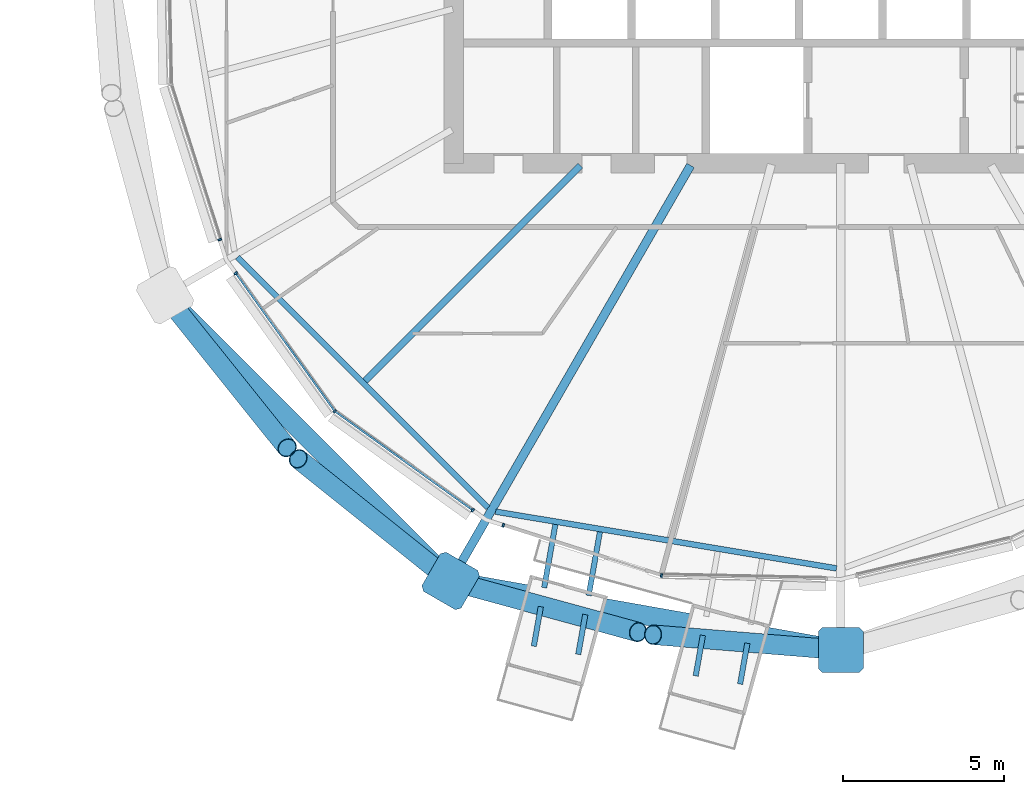
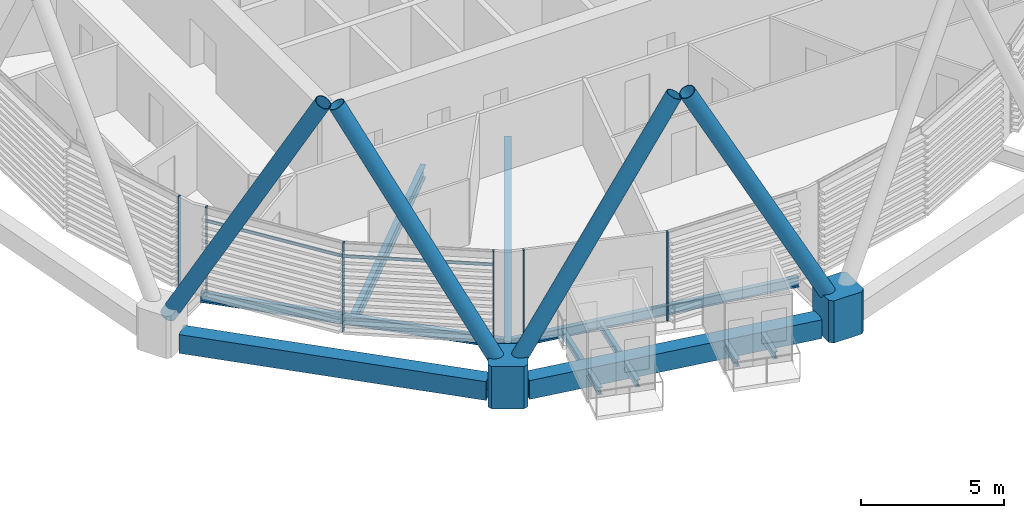
# One storey, part 13 of 37: 14 members, 12 beams, 1 element without a shape of its own.
"""IFC4 building model written with IfcOpenShell, lengths in metres."""

import ifcopenshell
import ifcopenshell.guid

model = None  # the IFC model being written
_history = None  # IfcOwnerHistory: only IFC2X3 demands one
_inside = {}  # id of a spatial element -> (the spatial element, [elements in it])
_under = {}  # id of a project, library or spatial element -> (it, [spatial elements below it])
_declared = {}  # id of a project -> (the project, [libraries it declares])
_typed = {}  # id of a type object -> (the type object, [elements of that type])
_made_of = {}  # id of a material, layer set ... -> (it, [elements and type objects made of it])


def new_model(schema):
    """Start an empty IFC model of exactly this schema.

    Asked for "IFC4X3", IfcOpenShell would pick the latest addendum, in which some entities
    have other attributes; the version numbers below select the first issue.
    IFC2X3 requires an IfcOwnerHistory on every rooted entity: one is made here for all.
    """
    global model, _history
    if schema == "IFC4X3":
        model = ifcopenshell.file(schema_version=(4, 3, 0, 0))
    else:
        model = ifcopenshell.file(schema=schema)
    _inside.clear()
    _under.clear()
    _declared.clear()
    _typed.clear()
    _made_of.clear()
    _history = None
    if model.schema == "IFC2X3":
        org = make("IfcOrganization", Name="unknown")
        user = make(
            "IfcPersonAndOrganization",
            ThePerson=make("IfcPerson", FamilyName="unknown"),
            TheOrganization=org,
        )
        app = make(
            "IfcApplication",
            ApplicationDeveloper=org,
            Version="unknown",
            ApplicationFullName="unknown",
            ApplicationIdentifier="unknown",
        )
        _history = make(
            "IfcOwnerHistory",
            OwningUser=user,
            OwningApplication=app,
            ChangeAction="ADDED",
            CreationDate=0,
        )
    return model


def make(cls, **values):
    """One entity of the class cls with the attributes given. An attribute that is None is left unset."""
    return model.create_entity(
        cls, **{name: value for name, value in values.items() if value is not None}
    )


def rooted(cls, **values):
    """An entity with a GlobalId (a new one), such as an element, a storey or a relation."""
    return make(cls, GlobalId=ifcopenshell.guid.new(), OwnerHistory=_history, **values)


def si_unit(unit_type, name, prefix=None):
    """IfcSIUnit, for example si_unit("LENGTHUNIT", "METRE", prefix="MILLI")."""
    return make("IfcSIUnit", UnitType=unit_type, Prefix=prefix, Name=name)


def assignment(units):
    """IfcUnitAssignment: the units of a project."""
    return None if units is None else make("IfcUnitAssignment", Units=units)


def point(xyz):
    """IfcCartesianPoint."""
    return None if xyz is None else make("IfcCartesianPoint", Coordinates=xyz)


def direction(xyz):
    """IfcDirection."""
    return None if xyz is None else make("IfcDirection", DirectionRatios=xyz)


def frame(location, z_axis=None, x_axis=None):
    """IfcAxis2Placement3D, a coordinate frame: its origin and axes. An axis left out is left unset."""
    return make(
        "IfcAxis2Placement3D",
        Location=point(location),
        Axis=direction(z_axis),
        RefDirection=direction(x_axis),
    )


def frame_2d(location, x_axis=None):
    """IfcAxis2Placement2D, a coordinate frame in the plane: its origin and x axis."""
    return make(
        "IfcAxis2Placement2D", Location=point(location), RefDirection=direction(x_axis)
    )


def origin():
    """The frame at (0, 0, 0) with its axes left unset."""
    return frame((0.0, 0.0, 0.0))


def origin_2d():
    """The frame at (0, 0) in the plane with its x axis left unset."""
    return frame_2d((0.0, 0.0))


def place(relative_to, where):
    """IfcLocalPlacement: puts the frame where relative to a parent placement (None: the world)."""
    return make(
        "IfcLocalPlacement", PlacementRelTo=relative_to, RelativePlacement=where
    )


def context(
    kind, dimensions, precision=None, world=None, true_north=None, identifier=None
):
    """IfcGeometricRepresentationContext, for example the 3D "Model" context."""
    return make(
        "IfcGeometricRepresentationContext",
        ContextIdentifier=identifier,
        ContextType=kind,
        CoordinateSpaceDimension=dimensions,
        Precision=precision,
        WorldCoordinateSystem=world,
        TrueNorth=true_north,
    )


def subcontext(parent, identifier, kind, view, scale=None):
    """IfcGeometricRepresentationSubContext, for example "Body" below "Model"."""
    return make(
        "IfcGeometricRepresentationSubContext",
        ContextIdentifier=identifier,
        ContextType=kind,
        ParentContext=parent,
        TargetScale=scale,
        TargetView=view,
    )


def project(units=None, contexts=None):
    """IfcProject with its units and contexts."""
    return rooted(
        "IfcProject",
        Name="project",
        RepresentationContexts=contexts,
        UnitsInContext=assignment(units),
    )


def spatial(cls, under=None, at=None, **own):
    """A site, building, storey or space (cls), placed at a placement, below another one or the project."""
    s = rooted(cls, ObjectPlacement=at, **own)
    if under is not None:
        _under.setdefault(under.id(), (under, []))[1].append(s)
    return s


def polyline(points):
    """IfcPolyline through the points."""
    return make("IfcPolyline", Points=[point(p) for p in points])


def profile(cls, at=None, kind="AREA", **sizes):
    """A parametric profile (cls). Its sizes go by their IFC names, for example OverallWidth=200.0."""
    return make(cls, ProfileType=kind, Position=at, **sizes)


def rectangle(**sizes):
    """IfcRectangleProfileDef."""
    return profile("IfcRectangleProfileDef", **sizes)


def hollow_rectangle(**sizes):
    """IfcRectangleHollowProfileDef."""
    return profile("IfcRectangleHollowProfileDef", **sizes)


def hollow_circle(**sizes):
    """IfcCircleHollowProfileDef."""
    return profile("IfcCircleHollowProfileDef", **sizes)


def i_section(**sizes):
    """IfcIShapeProfileDef."""
    return profile("IfcIShapeProfileDef", **sizes)


def outline(outer, holes=None, kind="AREA"):
    """IfcArbitraryClosedProfileDef: a profile drawn as a closed curve; with holes, ...WithVoids."""
    if holes is None:
        return make("IfcArbitraryClosedProfileDef", ProfileType=kind, OuterCurve=outer)
    return make(
        "IfcArbitraryProfileDefWithVoids",
        ProfileType=kind,
        OuterCurve=outer,
        InnerCurves=holes,
    )


def extrude(swept, where, along, depth):
    """IfcExtrudedAreaSolid: the profile swept, set in the frame where, extruded along a direction by depth."""
    return make(
        "IfcExtrudedAreaSolid",
        SweptArea=swept,
        Position=where,
        ExtrudedDirection=direction(along),
        Depth=depth,
    )


def shape(context_of_items, identifier, shape_type, items):
    """IfcShapeRepresentation: the items that make up one representation, for example the "Body"."""
    return make(
        "IfcShapeRepresentation",
        ContextOfItems=context_of_items,
        RepresentationIdentifier=identifier,
        RepresentationType=shape_type,
        Items=items,
    )


def material(Name=None, Category=None):
    """IfcMaterial."""
    return make("IfcMaterial", Name=Name, Category=Category)


def material_profile(
    of_material, cross_section, Name=None, Category=None, Priority=None
):
    """IfcMaterialProfile: a cross section and its material."""
    return make(
        "IfcMaterialProfile",
        Name=Name,
        Material=of_material,
        Profile=cross_section,
        Priority=Priority,
        Category=Category,
    )


def profile_set(profiles, Name=None, composite=None):
    """IfcMaterialProfileSet."""
    return make(
        "IfcMaterialProfileSet",
        Name=Name,
        MaterialProfiles=profiles,
        CompositeProfile=composite,
    )


def made_of(thing, what):
    """Note that an element or type object is made of a material, layer set ...; save() writes the relation."""
    if what is not None:
        _made_of.setdefault(what.id(), (what, []))[1].append(thing)
    return thing


def type_object(cls, material=None, **own):
    """A type object (cls), such as IfcWallType, which elements share."""
    return made_of(rooted(cls, **own), material)


def element(
    cls,
    number,
    at=None,
    inside=None,
    cuts=None,
    type_object=None,
    material=None,
    context=None,
    identifier="Body",
    shape_type=None,
    held_by="IfcProductDefinitionShape",
    body=None,
    shapes=None,
    **own,
):
    """One element of the class cls, such as IfcWall. Its Tag is "e" and its number.

    at: its placement. inside: the storey or other place that contains it. cuts: it is an
    opening in that element (IfcRelVoidsElement). A single representation is given by context,
    identifier, shape_type and body (its items); several are given by shapes. held_by: the class
    of the entity that holds the representations. save() writes the other relations.
    """
    e = rooted(cls, Tag="e%d" % number, ObjectPlacement=at, **own)
    if body is not None:
        shapes = [shape(context, identifier, shape_type, body)]
    if shapes is not None:
        e.Representation = make(held_by, Representations=shapes)
    if inside is not None:
        _inside.setdefault(inside.id(), (inside, []))[1].append(e)
    if cuts is not None:
        rooted(
            "IfcRelVoidsElement", RelatingBuildingElement=cuts, RelatedOpeningElement=e
        )
    if type_object is not None:
        _typed.setdefault(type_object.id(), (type_object, []))[1].append(e)
    return made_of(e, material)


def aggregate(whole, parts):
    """IfcRelAggregates: a whole, such as a stair, and the parts it consists of."""
    return rooted("IfcRelAggregates", RelatingObject=whole, RelatedObjects=parts)


def save(model, path):
    """Write the relations noted so far, then the file.

    IfcRelAggregates (storeys below a building ...), IfcRelContainedInSpatialStructure (elements
    in a storey), IfcRelDefinesByType, IfcRelAssociatesMaterial and IfcRelDeclares: one each for
    every whole, place, type object, material and project.
    """
    for whole, parts in _under.values():
        aggregate(whole, parts)
    for where, things in _inside.values():
        rooted(
            "IfcRelContainedInSpatialStructure",
            RelatedElements=things,
            RelatingStructure=where,
        )
    for kind, things in _typed.values():
        rooted("IfcRelDefinesByType", RelatedObjects=things, RelatingType=kind)
    for what, things in _made_of.values():
        rooted("IfcRelAssociatesMaterial", RelatedObjects=things, RelatingMaterial=what)
    for by, libraries in _declared.values():
        rooted("IfcRelDeclares", RelatingContext=by, RelatedDefinitions=libraries)
    model.write(path)


model = new_model("IFC4")

# Units and contexts
model_context = context("Model", 3, precision=1e-05, world=origin(), true_north=direction((0.0, 1.0)))
body_context = subcontext(model_context, "Body", "Model", "MODEL_VIEW")
ifc_project = project(units=[si_unit("LENGTHUNIT", "METRE"), si_unit("AREAUNIT", "SQUARE_METRE"), si_unit("VOLUMEUNIT", "CUBIC_METRE"), si_unit("PLANEANGLEUNIT", "RADIAN"), si_unit("MASSUNIT", "GRAM", prefix="KILO")], contexts=[model_context])

# Site, building, storey
site_placement = place(None, origin())
site = spatial("IfcSite", under=ifc_project, at=site_placement, CompositionType="ELEMENT")
building_placement = place(site_placement, origin())
building = spatial("IfcBuilding", under=site, at=building_placement, Name="Rimbun Link Towers", CompositionType="ELEMENT")
storey_placement = place(building_placement, frame((0.0, 0.0, 170.300048828125)))
storey = spatial("IfcBuildingStorey", under=building, at=storey_placement, Name="L41", CompositionType="ELEMENT", Elevation=170.300048828125)

# Curtain wall, members
ifc_material_1 = material(Name="Aluminium 6063-T6 and low-iron glass", Category="aluminium")
curtain_wall_type = type_object("IfcCurtainWallType", Name="CW1-Z3 unitised vision wall (zone 3)", PredefinedType="NOTDEFINED", material=ifc_material_1)
curtain_wall_placement = place(storey_placement, origin())
curtain_wall = element("IfcCurtainWall", 1, at=curtain_wall_placement, inside=storey, type_object=curtain_wall_type, Name="CW1 L41 T2", PredefinedType="NOTDEFINED")
ifc_material_2 = material(Name="Aluminium 6063-T6", Category="aluminium")
ifc_material_profile_1 = material_profile(ifc_material_2, rectangle(XDim=0.1201171875, YDim=0.06005859375, at=origin_2d()), Name="MULLION 60X120")
ifc_profile_set_1 = profile_set([ifc_material_profile_1], Name="Aluminium 6063-T6")
member_type_1 = type_object("IfcMemberType", Name="CW1 mullion 60X120", PredefinedType="MULLION", material=ifc_profile_set_1)
member_1_placement = place(storey_placement, frame((12.501708984375, -10.364990234375, 0.0), z_axis=(0.0, 0.0, 1.0), x_axis=(-0.952968988731, -0.303067824946, 0.0)))
member_1 = element("IfcMember", 2, at=member_1_placement, type_object=member_type_1, Name="CW1 mullion", PredefinedType="MULLION", context=body_context, shape_type="SweptSolid", body=[
    extrude(rectangle(XDim=0.1201171875, YDim=0.06005859375, at=origin_2d()), origin(), (0.0, 0.0, 1.0), 3.800048828125),
])
member_2_placement = place(storey_placement, frame((16.0673828125, -15.6826171875, 0.0), z_axis=(0.0, 0.0, 1.0), x_axis=(-0.707106781187, -0.707106781187, 0.0)))
member_2 = element("IfcMember", 3, at=member_2_placement, type_object=member_type_1, Name="CW1 mullion", PredefinedType="MULLION", context=body_context, shape_type="SweptSolid", body=[
    extrude(rectangle(XDim=0.1201171875, YDim=0.06005859375, at=origin_2d()), origin(), (0.0, 0.0, 1.0), 3.800048828125),
])
member_3_placement = place(storey_placement, frame((12.998779296875, -11.407470703125, 0.0), z_axis=(0.0, 0.0, 1.0), x_axis=(-0.812465398272, -0.583009413827, 0.0)))
member_3 = element("IfcMember", 4, at=member_3_placement, type_object=member_type_1, Name="CW1 mullion", PredefinedType="MULLION", context=body_context, shape_type="SweptSolid", body=[
    extrude(rectangle(XDim=0.1201171875, YDim=0.06005859375, at=origin_2d()), origin(), (0.0, 0.0, 1.0), 3.800048828125),
])
member_4_placement = place(storey_placement, frame((20.342529296875, -18.751220703125, 0.0), z_axis=(0.0, 0.0, 1.0), x_axis=(-0.583009413827, -0.812465398272, 0.0)))
member_4 = element("IfcMember", 5, at=member_4_placement, type_object=member_type_1, Name="CW1 mullion", PredefinedType="MULLION", context=body_context, shape_type="SweptSolid", body=[
    extrude(rectangle(XDim=0.1201171875, YDim=0.06005859375, at=origin_2d()), origin(), (0.0, 0.0, 1.0), 3.800048828125),
])
member_5_placement = place(storey_placement, frame((26.189208984375, -20.775390625, 0.0), z_axis=(0.0, 0.0, 1.0), x_axis=(-0.163742714165, -0.986503078332, 0.0)))
member_5 = element("IfcMember", 6, at=member_5_placement, type_object=member_type_1, Name="CW1 mullion", PredefinedType="MULLION", context=body_context, shape_type="SweptSolid", body=[
    extrude(rectangle(XDim=0.1201171875, YDim=0.06005859375, at=origin_2d()), origin(), (0.0, 0.0, 1.0), 3.800048828125),
])
member_6_placement = place(storey_placement, frame((21.289794921875, -19.2177734375, 0.0), z_axis=(0.0, 0.0, 1.0), x_axis=(-0.303067824946, -0.952968988731, 0.0)))
member_6 = element("IfcMember", 7, at=member_6_placement, type_object=member_type_1, Name="CW1 mullion", PredefinedType="MULLION", context=body_context, shape_type="SweptSolid", body=[
    extrude(rectangle(XDim=0.1201171875, YDim=0.06005859375, at=origin_2d()), origin(), (0.0, 0.0, 1.0), 3.800048828125),
])
ifc_material_3 = material(Name="Aluminium 6063-T6", Category="aluminium")
ifc_material_profile_2 = material_profile(ifc_material_3, rectangle(XDim=0.06005859375, YDim=0.1201171875, at=origin_2d()), Name="TRANSOM 60X120")
ifc_profile_set_2 = profile_set([ifc_material_profile_2], Name="Aluminium 6063-T6")
member_type_2 = type_object("IfcMemberType", Name="CW1 transom 60X120", PredefinedType="USERDEFINED", material=ifc_profile_set_2)
member_7_placement = place(storey_placement, frame((16.045166015625, -15.649658203125, 3.199951171875), z_axis=(-0.582993571179, 0.812476766415, 0.0), x_axis=(-0.812476766415, -0.582993571179, 0.0)))
member_7 = element("IfcMember", 8, at=member_7_placement, type_object=member_type_2, Name="CW1 transom", ObjectType="TRANSOM", PredefinedType="USERDEFINED", context=body_context, shape_type="SweptSolid", body=[
    extrude(rectangle(XDim=0.06005859375, YDim=0.1201171875, at=origin_2d()), origin(), (0.0, 0.0, 1.0), 5.19287109375),
])
member_8_placement = place(storey_placement, frame((20.3193359375, -18.732177734375, 3.199951171875), z_axis=(-0.812476766415, 0.582993571179, 0.0), x_axis=(-0.582993571179, -0.812476766415, 0.0)))
member_8 = element("IfcMember", 9, at=member_8_placement, type_object=member_type_2, Name="CW1 transom", ObjectType="TRANSOM", PredefinedType="USERDEFINED", context=body_context, shape_type="SweptSolid", body=[
    extrude(rectangle(XDim=0.06005859375, YDim=0.1201171875, at=origin_2d()), origin(), (0.0, 0.0, 1.0), 5.19287109375),
])
aggregate(curtain_wall, [member_1, member_2, member_3, member_4, member_5, member_6, member_7, member_8])

# Beams
ifc_material_4 = material(Name="Steel S355J2", Category="steel")
ifc_material_profile_3 = material_profile(ifc_material_4, i_section(OverallWidth=0.1650390625, OverallDepth=0.303466796875, WebThickness=0.006103515625, FlangeThickness=0.01025390625, at=origin_2d()), Name="UB 305x165x40")
ifc_profile_set_3 = profile_set([ifc_material_profile_3], Name="Steel S355J2")
beam_type_1 = type_object("IfcBeamType", Name="Capsule bracket beam UB 305x165x40", PredefinedType="BEAM", material=ifc_profile_set_3)
beam_1_placement = place(storey_placement, frame((28.852294921875, -22.874755859375, -0.311767578125), z_axis=(-0.174349315547, -0.984683866105, 0.0), x_axis=(0.984683866105, -0.174349315547, 0.0)))
element("IfcBeam", 10, at=beam_1_placement, inside=storey, type_object=beam_type_1, Name="Capsule D412.01 bracket beam 2", PredefinedType="BEAM", context=body_context, shape_type="SweptSolid", body=[
    extrude(i_section(OverallWidth=0.1650390625, OverallDepth=0.303466796875, WebThickness=0.006103515625, FlangeThickness=0.01025390625, at=origin_2d()), origin(), (0.0, 0.0, 1.0), 1.2841796875),
])
beam_2_placement = place(storey_placement, frame((27.473876953125, -22.630859375, -0.311767578125), z_axis=(-0.174451669968, -0.984665737621, 0.0), x_axis=(0.984665737621, -0.174451669968, 0.0)))
element("IfcBeam", 11, at=beam_2_placement, inside=storey, type_object=beam_type_1, Name="Capsule D412.01 bracket beam 4", PredefinedType="BEAM", context=body_context, shape_type="SweptSolid", body=[
    extrude(i_section(OverallWidth=0.1650390625, OverallDepth=0.303466796875, WebThickness=0.006103515625, FlangeThickness=0.01025390625, at=origin_2d()), origin(), (0.0, 0.0, 1.0), 1.27490234375),
])
beam_3_placement = place(storey_placement, frame((24.283935546875, -19.423828125, -0.311767578125), z_axis=(-0.174279286569, -0.984696262953, 0.0), x_axis=(0.984696262953, -0.174279286569, 0.0)))
element("IfcBeam", 12, at=beam_3_placement, inside=storey, type_object=beam_type_1, Name="Capsule D412.02 bracket beam 1", PredefinedType="BEAM", context=body_context, shape_type="SweptSolid", body=[
    extrude(i_section(OverallWidth=0.1650390625, OverallDepth=0.303466796875, WebThickness=0.006103515625, FlangeThickness=0.01025390625, at=origin_2d()), origin(), (0.0, 0.0, 1.0), 2.001708984375),
])
beam_4_placement = place(storey_placement, frame((23.830322265625, -21.98583984375, -0.311767578125), z_axis=(-0.174264006678, -0.984698967186, 0.0), x_axis=(0.984698967186, -0.174264006678, 0.0)))
element("IfcBeam", 13, at=beam_4_placement, inside=storey, type_object=beam_type_1, Name="Capsule D412.02 bracket beam 2", PredefinedType="BEAM", context=body_context, shape_type="SweptSolid", body=[
    extrude(i_section(OverallWidth=0.1650390625, OverallDepth=0.303466796875, WebThickness=0.006103515625, FlangeThickness=0.01025390625, at=origin_2d()), origin(), (0.0, 0.0, 1.0), 1.2509765625),
])
beam_5_placement = place(storey_placement, frame((22.90283203125, -19.19384765625, -0.311767578125), z_axis=(-0.174310885776, -0.984690669754, 0.0), x_axis=(0.984690669754, -0.174310885776, 0.0)))
element("IfcBeam", 14, at=beam_5_placement, inside=storey, type_object=beam_type_1, Name="Capsule D412.02 bracket beam 3", PredefinedType="BEAM", context=body_context, shape_type="SweptSolid", body=[
    extrude(i_section(OverallWidth=0.1650390625, OverallDepth=0.303466796875, WebThickness=0.006103515625, FlangeThickness=0.01025390625, at=origin_2d()), origin(), (0.0, 0.0, 1.0), 1.987548828125),
])
beam_6_placement = place(storey_placement, frame((22.451904296875, -21.74169921875, -0.311767578125), z_axis=(-0.174334707268, -0.984686452553, 0.0), x_axis=(0.984686452553, -0.174334707268, 0.0)))
element("IfcBeam", 15, at=beam_6_placement, inside=storey, type_object=beam_type_1, Name="Capsule D412.02 bracket beam 4", PredefinedType="BEAM", context=body_context, shape_type="SweptSolid", body=[
    extrude(i_section(OverallWidth=0.1650390625, OverallDepth=0.303466796875, WebThickness=0.006103515625, FlangeThickness=0.01025390625, at=origin_2d()), origin(), (0.0, 0.0, 1.0), 1.2421875),
])

# Members
ifc_material_5 = material(Name="Steel S355J2H", Category="steel")
ifc_material_profile_4 = material_profile(ifc_material_5, hollow_circle(Radius=0.3046875, WallThickness=0.02490234375, at=origin_2d()), Name="Diagrid diagonal CHS 610x25")
ifc_profile_set_4 = profile_set([ifc_material_profile_4], Name="Steel S355J2H")
member_type_3 = type_object("IfcMemberType", Name="Diagrid diagonal CHS 610x25", PredefinedType="BRACE", material=ifc_profile_set_4)
for number, where, z_axis, x_axis, name in (
    (16, (10.95849609375, -12.27978515625, 0.437744140625), (0.30222663246, -0.377438097565, 0.875328249937), (0.780590135426, 0.625043230885, 0.0), "Diagrid diagonal T2 L41-L44 11b"),
    (17, (19.47021484375, -20.79150390625, 0.437744140625), (-0.377438097565, 0.30222663246, 0.875328249937), (-0.625043230885, -0.780590135426, 0.0), "Diagrid diagonal T2 L41-L44 13a"),
):
    element("IfcMember", number, at=place(storey_placement, frame(where, z_axis=z_axis, x_axis=x_axis)), inside=storey, type_object=member_type_3, Name=name, PredefinedType="BRACE", context=body_context, shape_type="SweptSolid", body=[
        extrude(hollow_circle(Radius=0.3046875, WallThickness=0.02490234375, at=origin_2d()), origin(), (0.0, 0.0, 1.0), 12.0234375),
    ])
member_9_placement = place(storey_placement, frame((19.890869140625, -21.006103515625, 0.438232421875), z_axis=(0.464255548715, -0.126836999314, 0.876572393526), x_axis=(0.263546433796, 0.964646711099, 0.0)))
element("IfcMember", 18, at=member_9_placement, inside=storey, type_object=member_type_3, Name="Diagrid diagonal T2 L41-L44 13b", PredefinedType="BRACE", context=body_context, shape_type="SweptSolid", body=[
    extrude(hollow_circle(Radius=0.3046875, WallThickness=0.02490234375, at=origin_2d()), origin(), (0.0, 0.0, 1.0), 12.005126953125),
])
member_10_placement = place(storey_placement, frame((31.515625, -23.064208984375, 0.441162109375), z_axis=(-0.468652183395, 0.038023188161, 0.882564087282), x_axis=(-0.080867344137, -0.996724873098, 0.0)))
element("IfcMember", 19, at=member_10_placement, inside=storey, type_object=member_type_3, Name="Diagrid diagonal T2 L41-L44 15a", PredefinedType="BRACE", context=body_context, shape_type="SweptSolid", body=[
    extrude(hollow_circle(Radius=0.3046875, WallThickness=0.02490234375, at=origin_2d()), origin(), (0.0, 0.0, 1.0), 11.9169921875),
])
ifc_material_6 = material(Name="Cast steel G20Mn5+QT, Rp0.2 300 MPa", Category="steel")
ifc_material_profile_5 = material_profile(ifc_material_6, outline(polyline([(0.699951171875, -0.570068359375), (0.699951171875, 0.570068359375), (0.570068359375, 0.699951171875), (-0.570068359375, 0.699951171875), (-0.699951171875, 0.570068359375), (-0.699951171875, -0.570068359375), (-0.570068359375, -0.699951171875), (0.570068359375, -0.699951171875), (0.699951171875, -0.570068359375)])), Name="NODE 1400x1400")
ifc_profile_set_5 = profile_set([ifc_material_profile_5], Name="Cast steel G20Mn5+QT, Rp0.2 300 MPa")
member_type_4 = type_object("IfcMemberType", Name="Diagrid node cast 1400", PredefinedType="USERDEFINED", material=ifc_profile_set_5)
for number, where, z_axis, x_axis, name in (
    (20, (19.65869140625, -20.942626953125, -0.900146484375), (0.0, 0.0, 1.0), (-0.5, -0.866025403784, 0.0), "Diagrid node L41 13"),
    (21, (31.75, -23.0830078125, -0.900146484375), (0.0, 0.0, 1.0), (0.0, -1.0, 0.0), "Diagrid node L41 15"),
):
    element("IfcMember", number, at=place(storey_placement, frame(where, z_axis=z_axis, x_axis=x_axis)), inside=storey, type_object=member_type_4, Name=name, ObjectType="Diagrid node", PredefinedType="USERDEFINED", context=body_context, shape_type="SweptSolid", body=[
        extrude(outline(polyline([(0.699951171875, -0.570068359375), (0.699951171875, 0.570068359375), (0.570068359375, 0.699951171875), (-0.570068359375, 0.699951171875), (-0.699951171875, 0.570068359375), (-0.699951171875, -0.570068359375), (-0.570068359375, -0.699951171875), (0.570068359375, -0.699951171875), (0.699951171875, -0.570068359375)])), origin(), (0.0, 0.0, 1.0), 1.800048828125),
    ])

# Beams
ifc_material_7 = material(Name="Steel S355J2", Category="steel")
ifc_material_profile_6 = material_profile(ifc_material_7, hollow_rectangle(XDim=0.60009765625, YDim=0.800048828125, WallThickness=0.0400390625, at=origin_2d()), Name="Exoskeleton ring girder BOX 600x800x40")
ifc_profile_set_6 = profile_set([ifc_material_profile_6], Name="Steel S355J2")
beam_type_2 = type_object("IfcBeamType", Name="Exoskeleton ring girder BOX 600x800x40", PredefinedType="BEAM", material=ifc_profile_set_6)
beam_7_placement = place(storey_placement, frame((11.302490234375, -12.586181640625, -0.56005859375), z_axis=(0.707106781187, -0.707106781187, 0.0), x_axis=(0.707106781187, 0.707106781187, 0.0)))
element("IfcBeam", 22, at=beam_7_placement, inside=storey, type_object=beam_type_2, Name="Exoskeleton ring girder L41 05", PredefinedType="BEAM", context=body_context, shape_type="SweptSolid", body=[
    extrude(hollow_rectangle(XDim=0.60009765625, YDim=0.800048828125, WallThickness=0.0400390625, at=origin_2d()), origin(), (0.0, 0.0, 1.0), 11.11767578125),
])
beam_8_placement = place(storey_placement, frame((20.34814453125, -21.064697265625, -0.56005859375), z_axis=(0.984688753872, -0.174321708336, 0.0), x_axis=(0.174321708336, 0.984688753872, 0.0)))
element("IfcBeam", 23, at=beam_8_placement, inside=storey, type_object=beam_type_2, Name="Exoskeleton ring girder L41 06", PredefinedType="BEAM", context=body_context, shape_type="SweptSolid", body=[
    extrude(hollow_rectangle(XDim=0.60009765625, YDim=0.800048828125, WallThickness=0.0400390625, at=origin_2d()), origin(), (0.0, 0.0, 1.0), 10.879150390625),
])
ifc_material_8 = material(Name="Steel S355J2", Category="steel")
ifc_material_profile_7 = material_profile(ifc_material_8, i_section(OverallWidth=0.177978515625, OverallDepth=0.406494140625, WebThickness=0.0078125, FlangeThickness=0.0126953125, at=origin_2d()), Name="UB 406x178x60")
ifc_profile_set_7 = profile_set([ifc_material_profile_7], Name="Steel S355J2")
beam_type_3 = type_object("IfcBeamType", Name="UB 406x178x60", PredefinedType="BEAM", material=ifc_profile_set_7)
beam_9_placement = place(storey_placement, frame((13.054931640625, -10.91552734375, -0.353271484375), z_axis=(0.707106781187, -0.707106781187, 0.0), x_axis=(0.707106781187, 0.707106781187, 0.0)))
element("IfcBeam", 24, at=beam_9_placement, inside=storey, type_object=beam_type_3, Name="Edge beam T2 L41 11-13", PredefinedType="BEAM", context=body_context, shape_type="SweptSolid", body=[
    extrude(i_section(OverallWidth=0.177978515625, OverallDepth=0.406494140625, WebThickness=0.0078125, FlangeThickness=0.0126953125, at=origin_2d()), origin(), (0.0, 0.0, 1.0), 10.97216796875),
])
beam_10_placement = place(storey_placement, frame((21.05322265625, -18.7958984375, -0.353271484375), z_axis=(0.986433333852, -0.164162352157, 0.0), x_axis=(0.164162352157, 0.986433333852, 0.0)))
element("IfcBeam", 25, at=beam_10_placement, inside=storey, type_object=beam_type_3, Name="Edge beam T2 L41 13-15", PredefinedType="BEAM", context=body_context, shape_type="SweptSolid", body=[
    extrude(i_section(OverallWidth=0.177978515625, OverallDepth=0.406494140625, WebThickness=0.0078125, FlangeThickness=0.0126953125, at=origin_2d()), origin(), (0.0, 0.0, 1.0), 10.707763671875),
])
ifc_material_9 = material(Name="Steel S355J2", Category="steel")
ifc_material_profile_8 = material_profile(ifc_material_9, i_section(OverallWidth=0.209228515625, OverallDepth=0.533203125, WebThickness=0.010009765625, FlangeThickness=0.015625, at=origin_2d()), Name="UB 533x210x92")
ifc_profile_set_8 = profile_set([ifc_material_profile_8], Name="Steel S355J2")
beam_type_4 = type_object("IfcBeamType", Name="UB 533x210x92", PredefinedType="BEAM", material=ifc_profile_set_8)
beam_11_placement = place(storey_placement, frame((23.67529296875, -8.07470703125, -0.41650390625), z_axis=(-0.707106781187, -0.707106781187, 0.0), x_axis=(0.707106781187, -0.707106781187, 0.0)))
element("IfcBeam", 26, at=beam_11_placement, inside=storey, type_object=beam_type_4, Name="Radial beam T2 L41 12", PredefinedType="BEAM", context=body_context, shape_type="SweptSolid", body=[
    extrude(i_section(OverallWidth=0.209228515625, OverallDepth=0.533203125, WebThickness=0.010009765625, FlangeThickness=0.015625, at=origin_2d()), origin(), (0.0, 0.0, 1.0), 9.428466796875),
])
ifc_material_10 = material(Name="Steel S355J2", Category="steel")
ifc_material_profile_9 = material_profile(ifc_material_10, i_section(OverallWidth=0.2666015625, OverallDepth=0.76220703125, WebThickness=0.014404296875, FlangeThickness=0.021484375, at=origin_2d()), Name="UB 762x267x173")
ifc_profile_set_9 = profile_set([ifc_material_profile_9], Name="Steel S355J2")
beam_type_5 = type_object("IfcBeamType", Name="UB 762x267x173", PredefinedType="BEAM", material=ifc_profile_set_9)
beam_12_placement = place(storey_placement, frame((27.09228515625, -8.0673828125, -0.53125), z_axis=(-0.500006349875, -0.866021737652, 0.0), x_axis=(0.866021737652, -0.500006349875, 0.0)))
element("IfcBeam", 27, at=beam_12_placement, inside=storey, type_object=beam_type_5, Name="Radial beam T2 L41 13", PredefinedType="BEAM", context=body_context, shape_type="SweptSolid", body=[
    extrude(i_section(OverallWidth=0.2666015625, OverallDepth=0.76220703125, WebThickness=0.014404296875, FlangeThickness=0.021484375, at=origin_2d()), origin(), (0.0, 0.0, 1.0), 14.366943359375),
])

save(model, "model.ifc")
